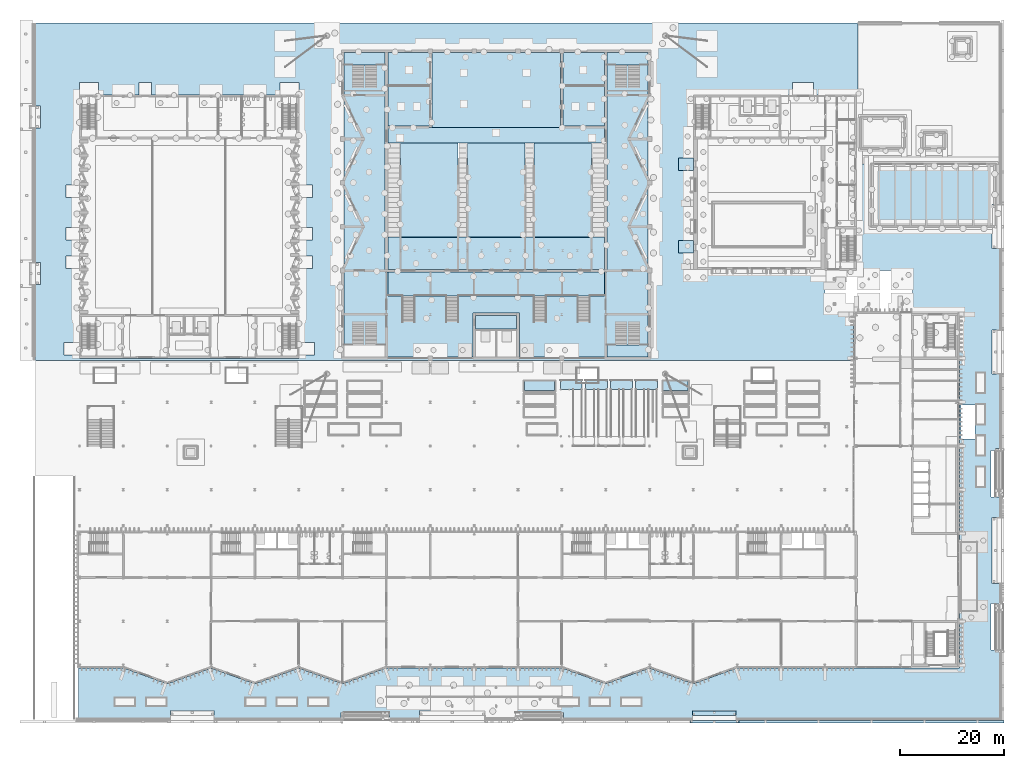
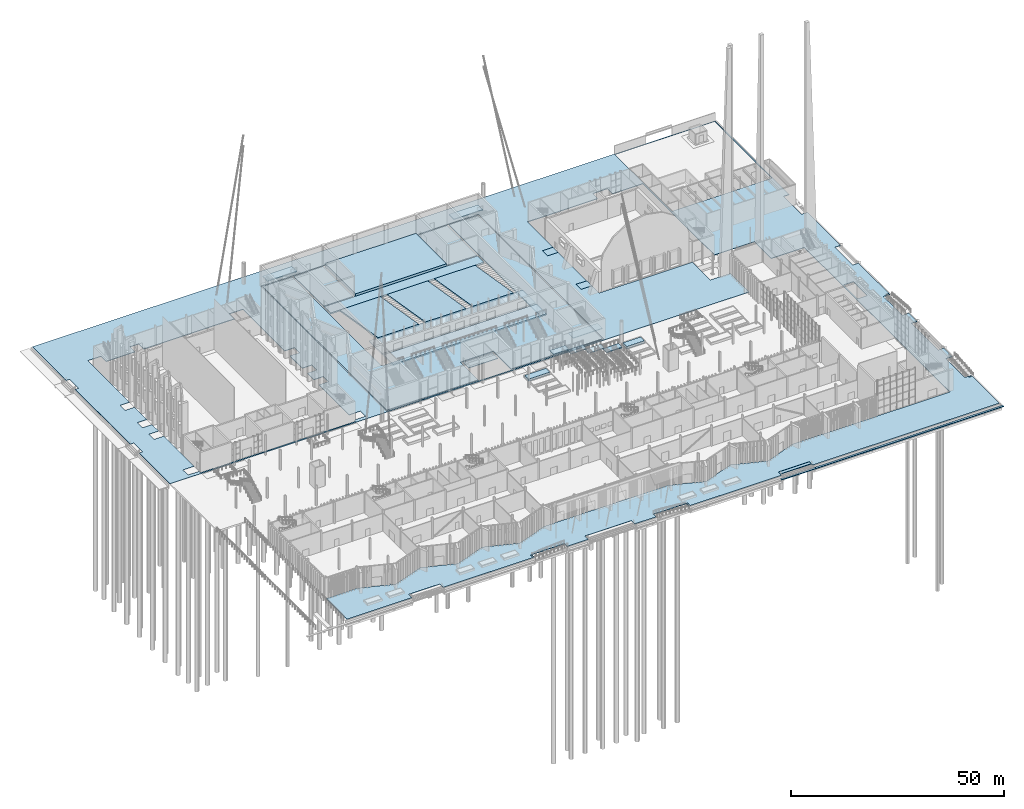
# One storey, part 48 of 108: 26 slabs, 3 elements without a shape of their own.
"""IFC4 building model written with IfcOpenShell, lengths in metres."""

from ifc_helpers import new_model, si_unit, direction, frame, origin, place, context, subcontext, project, spatial, polyline, outline, extrude, material, layer, layer_set, type_object, element, aggregate, save


model = new_model("IFC4")

# Units and contexts
model_context = context("Model", 3, precision=1e-05, world=origin(), true_north=direction((0.0, 1.0)))
body_context = subcontext(model_context, "Body", "Model", "MODEL_VIEW")
ifc_project = project(units=[si_unit("LENGTHUNIT", "METRE"), si_unit("AREAUNIT", "SQUARE_METRE"), si_unit("VOLUMEUNIT", "CUBIC_METRE"), si_unit("PLANEANGLEUNIT", "RADIAN"), si_unit("MASSUNIT", "GRAM", prefix="KILO")], contexts=[model_context])

# Site, building, storey
site_placement = place(None, origin())
site = spatial("IfcSite", under=ifc_project, at=site_placement, CompositionType="ELEMENT")
building_placement = place(site_placement, origin())
building = spatial("IfcBuilding", under=site, at=building_placement, Name="Cresset Court Congress Hotel", CompositionType="ELEMENT")
storey_placement = place(building_placement, origin())
storey = spatial("IfcBuildingStorey", under=building, at=storey_placement, Name="L00", CompositionType="ELEMENT", Elevation=0.0)

# Slab
ifc_material_1 = material(Name="Concrete C35", Category="concrete")
ifc_layer_1 = layer(ifc_material_1, 0.14990234375)
ifc_layer_set_1 = layer_set([ifc_layer_1], Name="Core floor slab 150")
slab_type_1 = type_object("IfcSlabType", Name="Core floor slab 150", PredefinedType="FLOOR", material=ifc_layer_set_1)
slab_1_placement = place(storey_placement, frame((0.0, 0.0, -0.14990234375)))
element("IfcSlab", 1, at=slab_1_placement, inside=storey, type_object=slab_type_1, Name="Slab CL-L00", PredefinedType="FLOOR", context=body_context, shape_type="SweptSolid", body=[
    extrude(outline(polyline([(92.14990234375, 64.39990234375), (92.14990234375, 66.949951171875), (84.25, 66.949951171875), (84.25, 64.39990234375), (92.14990234375, 64.39990234375)])), origin(), (0.0, 0.0, 1.0), 0.14990234375),
])

# Stair, slab
ifc_material_2 = material(Name="Concrete C40", Category="concrete")
stair_type = type_object("IfcStairType", Name="Core stair", PredefinedType="STRAIGHT_RUN_STAIR", material=ifc_material_2)
stair_1_placement = place(storey_placement, origin())
stair_1 = element("IfcStair", 2, at=stair_1_placement, inside=storey, type_object=stair_type, Name="Stair ST-C2 L00", PredefinedType="STRAIGHT_RUN_STAIR")
ifc_material_3 = material(Name="Concrete C40", Category="concrete")
ifc_layer_2 = layer(ifc_material_3, 0.199951171875)
ifc_layer_set_2 = layer_set([ifc_layer_2], Name="Core stair landing")
slab_type_2 = type_object("IfcSlabType", Name="Core stair landing", PredefinedType="LANDING", material=ifc_layer_set_2)
slab_2_placement = place(storey_placement, frame((0.0, 0.0, 2.800048828125)))
slab_2 = element("IfcSlab", 3, at=slab_2_placement, type_object=slab_type_2, Name="C-ST landing 1", PredefinedType="LANDING", context=body_context, shape_type="SweptSolid", body=[
    extrude(outline(polyline([(117.35009765625, 59.050048828125), (117.35009765625, 61.3798828125), (109.449951171875, 61.3798828125), (109.449951171875, 59.050048828125), (117.35009765625, 59.050048828125)])), origin(), (0.0, 0.0, 1.0), 0.199951171875),
])
aggregate(stair_1, [slab_2])

stair_2_placement = place(storey_placement, origin())
stair_2 = element("IfcStair", 4, at=stair_2_placement, inside=storey, type_object=stair_type, Name="Stair ST-C3 L00", PredefinedType="STRAIGHT_RUN_STAIR")
slab_3_placement = place(storey_placement, frame((0.0, 0.0, 2.800048828125)))
slab_3 = element("IfcSlab", 5, at=slab_3_placement, type_object=slab_type_2, Name="C-ST landing 1", PredefinedType="LANDING", context=body_context, shape_type="SweptSolid", body=[
    extrude(outline(polyline([(66.949951171875, 115.02001953125), (66.949951171875, 117.35009765625), (59.050048828125, 117.35009765625), (59.050048828125, 115.02001953125), (66.949951171875, 115.02001953125)])), origin(), (0.0, 0.0, 1.0), 0.199951171875),
])
aggregate(stair_2, [slab_3])

stair_3_placement = place(storey_placement, origin())
stair_3 = element("IfcStair", 6, at=stair_3_placement, inside=storey, type_object=stair_type, Name="Stair ST-C4 L00", PredefinedType="STRAIGHT_RUN_STAIR")
slab_4_placement = place(storey_placement, frame((0.0, 0.0, 2.800048828125)))
slab_4 = element("IfcSlab", 7, at=slab_4_placement, type_object=slab_type_2, Name="C-ST landing 1", PredefinedType="LANDING", context=body_context, shape_type="SweptSolid", body=[
    extrude(outline(polyline([(117.35009765625, 115.02001953125), (117.35009765625, 117.35009765625), (109.449951171875, 117.35009765625), (109.449951171875, 115.02001953125), (117.35009765625, 115.02001953125)])), origin(), (0.0, 0.0, 1.0), 0.199951171875),
])
aggregate(stair_3, [slab_4])

# Slabs
ifc_material_4 = material(Name="Concrete C35", Category="concrete")
ifc_layer_3 = layer(ifc_material_4, 0.199951171875)
ifc_layer_set_3 = layer_set([ifc_layer_3], Name="Exit apron slab 200 C35")
slab_type_3 = type_object("IfcSlabType", Name="Exit apron slab 200 C35", PredefinedType="BASESLAB", material=ifc_layer_set_3)
slab_5_placement = place(storey_placement, frame((0.0, 0.0, -0.199951171875)))
element("IfcSlab", 8, at=slab_5_placement, inside=storey, type_object=slab_type_3, Name="Exit apron", PredefinedType="BASESLAB", context=body_context, shape_type="SweptSolid", body=[
    extrude(outline(polyline([(123.10009765625, 79.0), (126.0, 79.0), (126.0, 81.39990234375), (123.10009765625, 81.39990234375), (123.10009765625, 79.0)])), origin(), (0.0, 0.0, 1.0), 0.199951171875),
])
slab_6_placement = place(storey_placement, frame((0.0, 0.0, -0.199951171875)))
element("IfcSlab", 9, at=slab_6_placement, inside=storey, type_object=slab_type_3, Name="Exit apron", PredefinedType="BASESLAB", context=body_context, shape_type="SweptSolid", body=[
    extrude(outline(polyline([(123.10009765625, 94.800048828125), (126.0, 94.800048828125), (126.0, 97.199951171875), (123.10009765625, 97.199951171875), (123.10009765625, 94.800048828125)])), origin(), (0.0, 0.0, 1.0), 0.199951171875),
])
ifc_material_5 = material(Name="Concrete C35", Category="concrete")
ifc_layer_4 = layer(ifc_material_5, 0.300048828125)
ifc_layer_set_4 = layer_set([ifc_layer_4], Name="Hall ground slab 300")
slab_type_4 = type_object("IfcSlabType", Name="Hall ground slab 300", PredefinedType="BASESLAB", material=ifc_layer_set_4)
slab_7_placement = place(storey_placement, frame((0.0, 0.0, -0.300048828125)))
element("IfcSlab", 10, at=slab_7_placement, inside=storey, type_object=slab_type_4, Name="Slab C-G1", PredefinedType="BASESLAB", context=body_context, shape_type="SweptSolid", body=[
    extrude(outline(polyline([(117.35009765625, 59.050048828125), (92.64990234375, 59.050048828125), (92.64990234375, 67.449951171875), (83.75, 67.449951171875), (83.75, 59.050048828125), (59.050048828125, 59.050048828125), (59.050048828125, 117.35009765625), (66.949951171875, 117.35009765625), (66.949951171875, 75.35009765625), (109.449951171875, 75.35009765625), (109.449951171875, 117.35009765625), (117.35009765625, 117.35009765625), (117.35009765625, 59.050048828125)])), origin(), (0.0, 0.0, 1.0), 0.300048828125),
])
ifc_material_6 = material(Name="Concrete C35", Category="concrete")
ifc_layer_5 = layer(ifc_material_6, 0.199951171875)
ifc_layer_set_5 = layer_set([ifc_layer_5], Name="Landing slab 200")
slab_type_5 = type_object("IfcSlabType", Name="Landing slab 200", PredefinedType="LANDING", material=ifc_layer_set_5)
slab_8_placement = place(storey_placement, frame((0.0, 0.0, -0.800048828125)))
element("IfcSlab", 11, at=slab_8_placement, inside=storey, type_object=slab_type_5, Name="Step foot landing S3", PredefinedType="LANDING", context=body_context, shape_type="SweptSolid", body=[
    extrude(outline(polyline([(125.300048828125, -11.097900390625), (134.699951171875, -11.097900390625), (134.699951171875, -10.550048828125), (125.300048828125, -10.550048828125), (125.300048828125, -11.097900390625)])), origin(), (0.0, 0.0, 1.0), 0.199951171875),
])
slab_9_placement = place(storey_placement, frame((0.0, 0.0, -0.199951171875)))
element("IfcSlab", 12, at=slab_9_placement, inside=storey, type_object=slab_type_5, Name="Step landing T", PredefinedType="LANDING", context=body_context, shape_type="SweptSolid", body=[
    extrude(outline(polyline([(125.800048828125, -9.64990234375), (134.199951171875, -9.64990234375), (134.199951171875, -8.75), (125.800048828125, -8.75), (125.800048828125, -9.64990234375)])), origin(), (0.0, 0.0, 1.0), 0.199951171875),
])
ifc_material_7 = material(Name="Concrete C35", Category="concrete")
ifc_layer_6 = layer(ifc_material_7, 0.20068359375)
ifc_layer_set_6 = layer_set([ifc_layer_6], Name="Landing slab 201")
slab_type_6 = type_object("IfcSlabType", Name="Landing slab 201", PredefinedType="LANDING", material=ifc_layer_set_6)
slab_10_placement = place(storey_placement, frame((0.0, 0.0, 5.04931640625)))
element("IfcSlab", 13, at=slab_10_placement, inside=storey, type_object=slab_type_6, Name="S.ramp.L01.D01.L2", PredefinedType="LANDING", context=body_context, shape_type="SweptSolid", body=[
    extrude(outline(polyline([(100.5, 52.800048828125), (104.699951171875, 52.800048828125), (104.699951171875, 54.60009765625), (100.5, 54.60009765625), (100.5, 52.800048828125)])), origin(), (0.0, 0.0, 1.0), 0.20068359375),
])
slab_11_placement = place(storey_placement, frame((0.0, 0.0, 3.54931640625)))
element("IfcSlab", 14, at=slab_11_placement, inside=storey, type_object=slab_type_6, Name="S.ramp.L01.D01.L4", PredefinedType="LANDING", context=body_context, shape_type="SweptSolid", body=[
    extrude(outline(polyline([(105.300048828125, 52.800048828125), (109.5, 52.800048828125), (109.5, 54.60009765625), (105.300048828125, 54.60009765625), (105.300048828125, 52.800048828125)])), origin(), (0.0, 0.0, 1.0), 0.20068359375),
])
slab_12_placement = place(storey_placement, frame((0.0, 0.0, 2.04931640625)))
element("IfcSlab", 15, at=slab_12_placement, inside=storey, type_object=slab_type_6, Name="S.ramp.L01.D01.L6", PredefinedType="LANDING", context=body_context, shape_type="SweptSolid", body=[
    extrude(outline(polyline([(110.10009765625, 52.800048828125), (114.300048828125, 52.800048828125), (114.300048828125, 54.60009765625), (110.10009765625, 54.60009765625), (110.10009765625, 52.800048828125)])), origin(), (0.0, 0.0, 1.0), 0.20068359375),
])
slab_13_placement = place(storey_placement, frame((0.0, 0.0, 0.54931640625)))
element("IfcSlab", 16, at=slab_13_placement, inside=storey, type_object=slab_type_6, Name="S.ramp.L01.D01.L8", PredefinedType="LANDING", context=body_context, shape_type="SweptSolid", body=[
    extrude(outline(polyline([(114.89990234375, 52.800048828125), (119.10009765625, 52.800048828125), (119.10009765625, 54.60009765625), (114.89990234375, 54.60009765625), (114.89990234375, 52.800048828125)])), origin(), (0.0, 0.0, 1.0), 0.20068359375),
])
ifc_material_8 = material(Name="Concrete C35", Category="concrete")
ifc_layer_7 = layer(ifc_material_8, 0.14990234375)
ifc_layer_set_7 = layer_set([ifc_layer_7], Name="Paving slab 150")
slab_type_7 = type_object("IfcSlabType", Name="Paving slab 150", PredefinedType="FLOOR", material=ifc_layer_set_7)
slab_14_placement = place(storey_placement, frame((0.0, 0.0, -0.14990234375)))
element("IfcSlab", 17, at=slab_14_placement, inside=storey, type_object=slab_type_7, Name="Paving 01", PredefinedType="FLOOR", context=body_context, shape_type="SweptSolid", body=[
    extrude(outline(polyline([(184.75, -10.25), (134.199951171875, -10.25), (134.199951171875, -8.699951171875), (125.800048828125, -8.699951171875), (125.800048828125, -10.25), (101.10009765625, -10.25), (101.10009765625, -9.050048828125), (100.800048828125, -9.050048828125), (100.800048828125, -10.25), (100.699951171875, -10.25), (100.699951171875, -9.0), (91.800048828125, -9.0), (91.800048828125, -10.25), (86.10009765625, -10.25), (86.10009765625, -8.699951171875), (73.5, -8.699951171875), (73.5, -10.25), (67.800048828125, -10.25), (67.800048828125, -9.0), (58.89990234375, -9.0), (58.89990234375, -10.25), (58.800048828125, -10.25), (58.800048828125, -9.050048828125), (58.5, -9.050048828125), (58.5, -10.25), (34.199951171875, -10.25), (34.199951171875, -8.699951171875), (25.800048828125, -8.699951171875), (25.800048828125, -10.25), (8.199951171875, -10.25), (8.199951171875, -0.5), (16.800048828125, -0.5), (25.199951171875, -3.550048828125), (33.60009765625, -0.550048828125), (42.0, -3.550048828125), (50.39990234375, -0.550048828125), (58.800048828125, -3.550048828125), (67.199951171875, -0.5), (100.800048828125, -0.5), (109.199951171875, -3.550048828125), (117.60009765625, -0.550048828125), (126.0, -3.550048828125), (134.39990234375, -0.5), (156.699951171875, -0.5), (157.0, -0.5), (157.199951171875, -0.5), (157.699951171875, -0.5), (176.89990234375, -0.5), (177.0, -0.5), (177.0, 58.800048828125), (176.89990234375, 58.800048828125), (176.89990234375, 67.699951171875), (168.0, 67.699951171875), (168.0, 75.60009765625), (157.199951171875, 75.60009765625), (157.199951171875, 109.199951171875), (149.0, 109.199951171875), (149.0, 111.60009765625), (145.0, 111.60009765625), (145.0, 109.199951171875), (126.0, 109.199951171875), (126.0, 97.199951171875), (123.10009765625, 97.199951171875), (123.10009765625, 94.800048828125), (126.0, 94.800048828125), (126.0, 81.39990234375), (123.10009765625, 81.39990234375), (123.10009765625, 79.0), (126.0, 79.0), (126.0, 75.60009765625), (151.199951171875, 75.60009765625), (151.199951171875, 67.199951171875), (156.699951171875, 67.199951171875), (156.699951171875, 58.39990234375), (0.0, 58.39990234375), (0.0, 72.89990234375), (0.89990234375, 72.89990234375), (0.89990234375, 77.10009765625), (0.0, 77.10009765625), (0.0, 102.89990234375), (0.89990234375, 102.89990234375), (0.89990234375, 107.10009765625), (0.0, 107.10009765625), (0.0, 123.0), (184.75, 123.0), (184.75, 88.199951171875), (183.199951171875, 88.199951171875), (183.199951171875, 79.800048828125), (184.75, 79.800048828125), (184.75, 64.199951171875), (183.199951171875, 64.199951171875), (183.199951171875, 55.800048828125), (184.75, 55.800048828125), (184.75, 41.5), (183.85009765625, 41.5), (183.85009765625, 41.199951171875), (184.75, 41.199951171875), (184.75, 41.10009765625), (183.0, 41.10009765625), (183.0, 32.199951171875), (184.75, 32.199951171875), (184.75, 28.300048828125), (183.199951171875, 28.300048828125), (183.199951171875, 15.699951171875), (184.75, 15.699951171875), (184.75, 11.800048828125), (183.0, 11.800048828125), (183.0, 2.89990234375), (184.75, 2.89990234375), (184.75, 2.800048828125), (183.85009765625, 2.800048828125), (183.85009765625, 2.5), (184.75, 2.5), (184.75, -10.25)]), holes=[polyline([(5.39990234375, 61.800048828125), (5.39990234375, 59.39990234375), (8.39990234375, 59.39990234375), (8.39990234375, 58.800048828125), (50.39990234375, 58.800048828125), (50.39990234375, 59.39990234375), (53.39990234375, 59.39990234375), (53.39990234375, 61.800048828125), (50.39990234375, 61.800048828125), (50.39990234375, 75.987548828125), (53.0, 75.987548828125), (53.0, 78.387451171875), (50.39990234375, 78.387451171875), (50.39990234375, 81.4375), (53.0, 81.4375), (53.0, 83.83740234375), (50.39990234375, 83.83740234375), (50.39990234375, 89.612548828125), (53.0, 89.612548828125), (53.0, 92.012451171875), (50.39990234375, 92.012451171875), (50.39990234375, 109.199951171875), (50.39990234375, 111.60009765625), (46.800048828125, 111.60009765625), (46.800048828125, 109.199951171875), (22.199951171875, 109.199951171875), (22.199951171875, 111.60009765625), (19.800048828125, 111.60009765625), (19.800048828125, 109.199951171875), (12.0, 109.199951171875), (12.0, 111.60009765625), (8.39990234375, 111.60009765625), (8.39990234375, 109.199951171875), (8.39990234375, 92.012451171875), (5.800048828125, 92.012451171875), (5.800048828125, 89.612548828125), (8.39990234375, 89.612548828125), (8.39990234375, 83.83740234375), (5.800048828125, 83.83740234375), (5.800048828125, 81.4375), (8.39990234375, 81.4375), (8.39990234375, 78.387451171875), (5.800048828125, 78.387451171875), (5.800048828125, 75.987548828125), (8.39990234375, 75.987548828125), (8.39990234375, 61.800048828125), (5.39990234375, 61.800048828125)]), polyline([(58.800048828125, 58.800048828125), (117.60009765625, 58.800048828125), (117.60009765625, 117.60009765625), (58.800048828125, 117.60009765625), (58.800048828125, 58.800048828125)]), polyline([(177.300048828125, 43.300048828125), (179.89990234375, 43.300048828125), (179.89990234375, 49.85009765625), (177.300048828125, 49.85009765625), (177.300048828125, 43.300048828125)]), polyline([(157.5, 96.0), (184.5, 96.0), (184.5, 122.800048828125), (157.5, 122.800048828125), (157.5, 96.0)])]), origin(), (0.0, 0.0, 1.0), 0.14990234375),
])
ifc_material_9 = material(Name="Planting soil")
ifc_layer_8 = layer(ifc_material_9, 0.64990234375)
ifc_layer_set_8 = layer_set([ifc_layer_8], Name="Planter soil 650")
slab_type_8 = type_object("IfcSlabType", Name="Planter soil 650", PredefinedType="FLOOR", material=ifc_layer_set_8)
slab_15_placement = place(storey_placement, origin())
element("IfcSlab", 18, at=slab_15_placement, inside=storey, type_object=slab_type_8, Name="Terrace planting bed 09", PredefinedType="FLOOR", context=body_context, shape_type="SweptSolid", body=[
    extrude(outline(polyline([(93.60009765625, 52.60009765625), (99.39990234375, 52.60009765625), (99.39990234375, 54.39990234375), (93.60009765625, 54.39990234375), (93.60009765625, 52.60009765625)])), origin(), (0.0, 0.0, 1.0), 0.64990234375),
])
slab_16_placement = place(storey_placement, origin())
element("IfcSlab", 19, at=slab_16_placement, inside=storey, type_object=slab_type_8, Name="Terrace planting bed 12", PredefinedType="FLOOR", context=body_context, shape_type="SweptSolid", body=[
    extrude(outline(polyline([(120.199951171875, 52.60009765625), (125.0, 52.60009765625), (125.0, 54.39990234375), (120.199951171875, 54.39990234375), (120.199951171875, 52.60009765625)])), origin(), (0.0, 0.0, 1.0), 0.64990234375),
])
ifc_material_10 = material(Name="Concrete C35", Category="concrete")
ifc_layer_9 = layer(ifc_material_10, 0.39990234375)
ifc_layer_set_9 = layer_set([ifc_layer_9], Name="Promenade standing tier 400")
slab_type_9 = type_object("IfcSlabType", Name="Promenade standing tier 400", PredefinedType="USERDEFINED", material=ifc_layer_set_9)
slab_17_placement = place(storey_placement, frame((0.0, 0.0, 2.60009765625)))
element("IfcSlab", 20, at=slab_17_placement, inside=storey, type_object=slab_type_9, Name="Promenade tier C-PR", ObjectType="SEATING TIER", PredefinedType="USERDEFINED", context=body_context, shape_type="SweptSolid", body=[
    extrude(outline(polyline([(108.949951171875, 70.75), (108.949951171875, 75.35009765625), (67.449951171875, 75.35009765625), (67.449951171875, 70.75), (108.949951171875, 70.75)])), origin(), (0.0, 0.0, 1.0), 0.39990234375),
])
ifc_material_11 = material(Name="Concrete C35", Category="concrete")
ifc_layer_10 = layer(ifc_material_11, 1.0)
ifc_layer_set_10 = layer_set([ifc_layer_10], Name="Stage deck slab 1000")
slab_type_10 = type_object("IfcSlabType", Name="Stage deck slab 1000", PredefinedType="FLOOR", material=ifc_layer_set_10)
slab_18_placement = place(storey_placement, frame((0.0, 0.0, -0.300048828125)))
element("IfcSlab", 21, at=slab_18_placement, inside=storey, type_object=slab_type_10, Name="Slab C-ST", PredefinedType="FLOOR", context=body_context, shape_type="SweptSolid", body=[
    extrude(outline(polyline([(100.5, 103.0), (100.5, 117.35009765625), (75.89990234375, 117.35009765625), (75.89990234375, 103.0), (100.5, 103.0)])), origin(), (0.0, 0.0, 1.0), 1.0),
])
ifc_material_12 = material(Name="Concrete C35", Category="concrete")
ifc_layer_11 = layer(ifc_material_12, 0.300048828125)
ifc_layer_set_11 = layer_set([ifc_layer_11], Name="Stage wing slab 300")
slab_type_11 = type_object("IfcSlabType", Name="Stage wing slab 300", PredefinedType="BASESLAB", material=ifc_layer_set_11)
slab_19_placement = place(storey_placement, frame((0.0, 0.0, -0.300048828125)))
element("IfcSlab", 22, at=slab_19_placement, inside=storey, type_object=slab_type_11, Name="Slab C-W1", PredefinedType="BASESLAB", context=body_context, shape_type="SweptSolid", body=[
    extrude(outline(polyline([(75.39990234375, 103.25), (75.39990234375, 117.35009765625), (67.449951171875, 117.35009765625), (67.449951171875, 103.25), (75.39990234375, 103.25)])), origin(), (0.0, 0.0, 1.0), 0.300048828125),
])
slab_20_placement = place(storey_placement, frame((0.0, 0.0, -0.300048828125)))
element("IfcSlab", 23, at=slab_20_placement, inside=storey, type_object=slab_type_11, Name="Slab C-W2", PredefinedType="BASESLAB", context=body_context, shape_type="SweptSolid", body=[
    extrude(outline(polyline([(108.949951171875, 103.25), (108.949951171875, 117.35009765625), (101.0, 117.35009765625), (101.0, 103.25), (108.949951171875, 103.25)])), origin(), (0.0, 0.0, 1.0), 0.300048828125),
])
ifc_material_13 = material(Name="Concrete C35", Category="concrete")
ifc_layer_12 = layer(ifc_material_13, 0.39990234375)
ifc_layer_set_12 = layer_set([ifc_layer_12], Name="Stalls front slab 400")
slab_type_12 = type_object("IfcSlabType", Name="Stalls front slab 400", PredefinedType="FLOOR", material=ifc_layer_set_12)
slab_21_placement = place(storey_placement, frame((0.0, 0.0, -0.39990234375)))
element("IfcSlab", 24, at=slab_21_placement, inside=storey, type_object=slab_type_12, Name="Slab C-F1", PredefinedType="FLOOR", context=body_context, shape_type="SweptSolid", body=[
    extrude(outline(polyline([(108.949951171875, 100.0), (108.949951171875, 103.0), (67.449951171875, 103.0), (67.449951171875, 100.0), (108.949951171875, 100.0)])), origin(), (0.0, 0.0, 1.0), 0.39990234375),
])
ifc_material_14 = material(Name="Concrete C35", Category="concrete")
ifc_layer_13 = layer(ifc_material_14, 0.39990234375)
ifc_layer_set_13 = layer_set([ifc_layer_13], Name="Stalls rear platform slab 400")
slab_type_13 = type_object("IfcSlabType", Name="Stalls rear platform slab 400", PredefinedType="FLOOR", material=ifc_layer_set_13)
slab_22_placement = place(storey_placement, frame((0.0, 0.0, 2.60009765625)))
element("IfcSlab", 25, at=slab_22_placement, inside=storey, type_object=slab_type_13, Name="Slab C-R1", PredefinedType="FLOOR", context=body_context, shape_type="SweptSolid", body=[
    extrude(outline(polyline([(108.949951171875, 75.85009765625), (67.449951171875, 75.85009765625), (67.449951171875, 81.929931640625), (67.449951171875, 81.93994140625), (67.449951171875, 82.0), (69.75, 82.0), (69.75, 81.93994140625), (81.050048828125, 81.93994140625), (81.050048828125, 82.0), (82.550048828125, 82.0), (82.550048828125, 81.93994140625), (93.85009765625, 81.93994140625), (93.85009765625, 82.0), (95.35009765625, 82.0), (95.35009765625, 81.93994140625), (106.64990234375, 81.93994140625), (106.64990234375, 82.0), (108.949951171875, 82.0), (108.949951171875, 81.929931640625), (108.949951171875, 81.929931640625), (108.949951171875, 75.85009765625)])), origin(), (0.0, 0.0, 1.0), 0.39990234375),
])
ifc_material_15 = material(Name="Concrete C35", Category="concrete")
ifc_layer_14 = layer(ifc_material_15, 0.39990234375)
ifc_layer_set_14 = layer_set([ifc_layer_14], Name="Stalls seating tier 400")
slab_type_14 = type_object("IfcSlabType", Name="Stalls seating tier 400", PredefinedType="USERDEFINED", material=ifc_layer_set_14)
for number, where, z_axis, x_axis, name in (
    (26, (69.89990234375, 100.0, 0.0), (0.0, 0.164398987305, 0.986393923832), (1.0, 0.0, 0.0), "Stalls seating tier ST-1"),
    (27, (82.699951171875, 100.0, 0.0), (0.0, 0.164398987305, 0.986393923832), (1.0, 0.0, 0.0), "Stalls seating tier ST-2"),
    (28, (95.5, 100.0, 0.0), (0.0, 0.164398987305, 0.986393923832), (1.0, 0.0, 0.0), "Stalls seating tier ST-3"),
):
    element("IfcSlab", number, at=place(storey_placement, frame(where, z_axis=z_axis, x_axis=x_axis)), inside=storey, type_object=slab_type_14, Name=name, ObjectType="SEATING TIER", PredefinedType="USERDEFINED", context=body_context, shape_type="SweptSolid", body=[
        extrude(outline(polyline([(0.0, 0.0), (11.0, 0.0), (11.0, -18.24828759089466), (0.0, -18.24828759089466), (0.0, 0.0)])), origin(), (0.0, 0.0, -1.0), 0.39990234375),
    ])
ifc_material_16 = material(Name="Concrete C35", Category="concrete")
ifc_layer_15 = layer(ifc_material_16, 0.199951171875)
ifc_layer_set_15 = layer_set([ifc_layer_15], Name="Street apron slab 200")
slab_type_15 = type_object("IfcSlabType", Name="Street apron slab 200", PredefinedType="FLOOR", material=ifc_layer_set_15)
slab_23_placement = place(storey_placement, frame((0.0, 0.0, -0.800048828125)))
element("IfcSlab", 29, at=slab_23_placement, inside=storey, type_object=slab_type_15, Name="Street apron S06", PredefinedType="FLOOR", context=body_context, shape_type="SweptSolid", body=[
    extrude(outline(polyline([(134.699951171875, -11.097900390625), (185.498046875, -11.097900390625), (185.498046875, -10.550048828125), (134.699951171875, -10.550048828125), (134.699951171875, -11.097900390625)])), origin(), (0.0, 0.0, 1.0), 0.199951171875),
])

save(model, "model.ifc")
